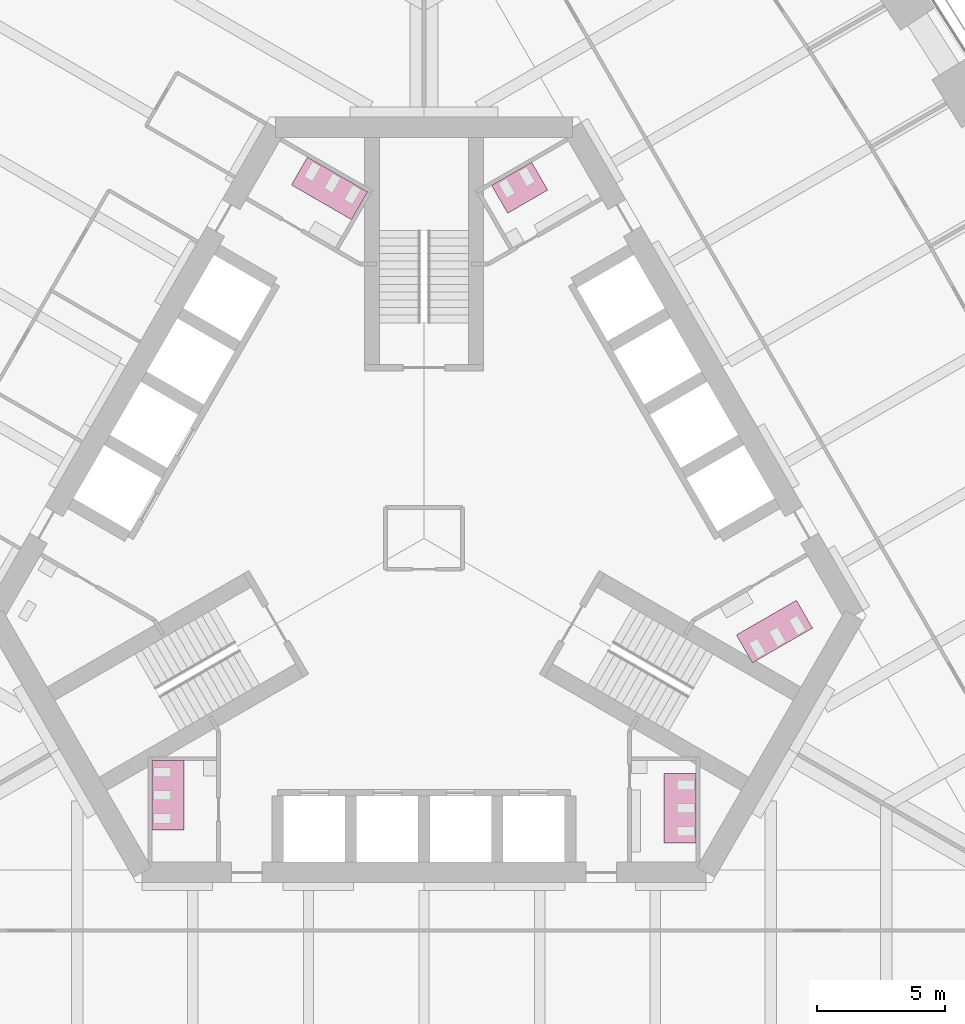
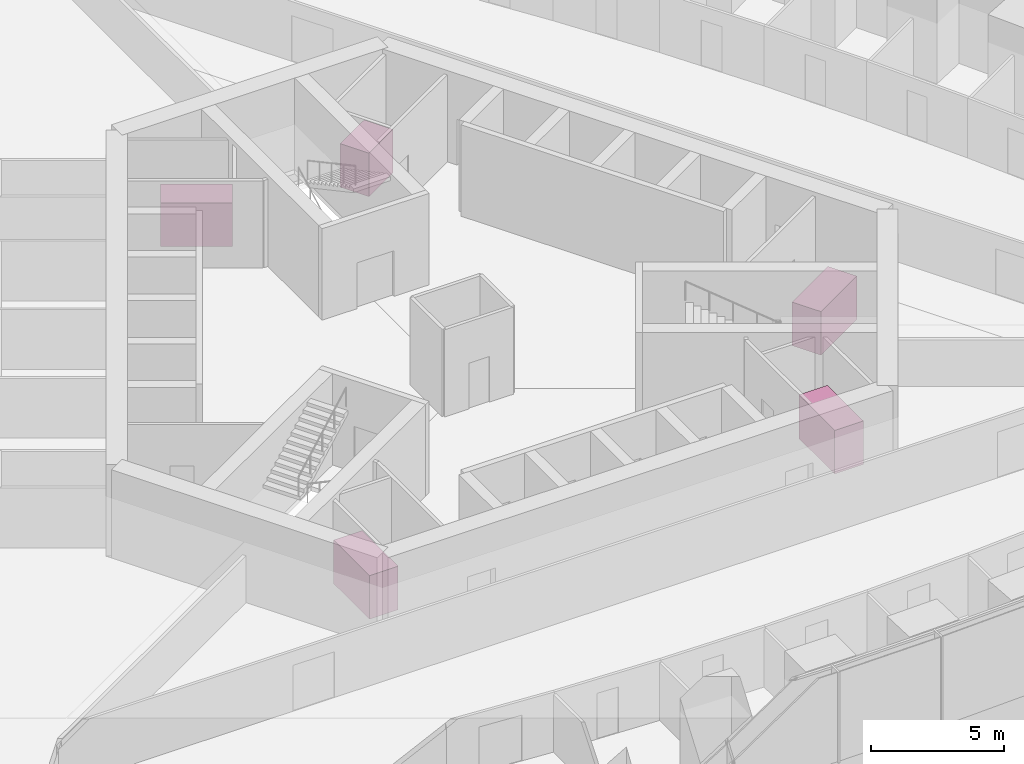
# One storey, part 18 of 18: 5 furniture elements.
"""IFC4 building model written with IfcOpenShell, lengths in metres."""

from ifc_helpers import new_model, si_unit, direction, frame, origin, place, context, subcontext, project, spatial, polyline, outline, extrude, material, type_object, element, save


model = new_model("IFC4")

# Units and contexts
model_context = context("Model", 3, precision=1e-05, world=origin(), true_north=direction((0.0, 1.0)))
body_context = subcontext(model_context, "Body", "Model", "MODEL_VIEW")
ifc_project = project(units=[si_unit("LENGTHUNIT", "METRE"), si_unit("AREAUNIT", "SQUARE_METRE"), si_unit("VOLUMEUNIT", "CUBIC_METRE"), si_unit("PLANEANGLEUNIT", "RADIAN"), si_unit("MASSUNIT", "GRAM", prefix="KILO")], contexts=[model_context])

# Site, building, storey
site_placement = place(None, origin())
site = spatial("IfcSite", under=ifc_project, at=site_placement, CompositionType="ELEMENT")
building_placement = place(site_placement, origin())
building = spatial("IfcBuilding", under=site, at=building_placement, Name="Trefoil Bronze Tower", CompositionType="ELEMENT")
storey_placement = place(building_placement, frame((0.0, 0.0, 62.699951171875)))
storey = spatial("IfcBuildingStorey", under=building, at=storey_placement, Name="L14", CompositionType="ELEMENT", Elevation=62.699951171875)

# Furniture
ifc_material_1 = material(Name="Compact laminate cubicles", Category="plastic")
furniture_type_1 = type_object("IfcFurnitureType", Name="WC cubicle range 2 cubicles", AssemblyPlace="FACTORY", PredefinedType="USERDEFINED", material=ifc_material_1)
furniture_1_placement = place(storey_placement, origin())
element("IfcFurniture", 1, at=furniture_1_placement, inside=storey, type_object=furniture_type_1, Name="WC cubicle range WC (men) L14", ObjectType="WC cubicle range", PredefinedType="USERDEFINED", context=body_context, shape_type="SweptSolid", body=[
    extrude(outline(polyline([(3.256591796875, 12.659423828125), (2.631591796875, 13.741943359375), (4.1904296875, 14.641845703125), (4.8154296875, 13.559326171875), (3.256591796875, 12.659423828125)])), origin(), (0.0, 0.0, 1.0), 2.0),
])
ifc_material_2 = material(Name="Compact laminate cubicles", Category="plastic")
furniture_type_2 = type_object("IfcFurnitureType", Name="WC cubicle range 3 cubicles", AssemblyPlace="FACTORY", PredefinedType="USERDEFINED", material=ifc_material_2)
furniture_2_placement = place(storey_placement, origin())
element("IfcFurniture", 2, at=furniture_2_placement, inside=storey, type_object=furniture_type_2, Name="WC cubicle range WC (men) L14", ObjectType="WC cubicle range", PredefinedType="USERDEFINED", context=body_context, shape_type="SweptSolid", body=[
    extrude(outline(polyline([(9.3349609375, -9.14990234375), (10.5849609375, -9.14990234375), (10.5849609375, -11.85009765625), (9.3349609375, -11.85009765625), (9.3349609375, -9.14990234375)])), origin(), (0.0, 0.0, 1.0), 2.0),
])
furniture_3_placement = place(storey_placement, origin())
element("IfcFurniture", 3, at=furniture_3_placement, inside=storey, type_object=furniture_type_2, Name="WC cubicle range WC (women) L14", ObjectType="WC cubicle range", PredefinedType="USERDEFINED", context=body_context, shape_type="SweptSolid", body=[
    extrude(outline(polyline([(12.15869140625, -3.75927734375), (12.78369140625, -4.841796875), (15.121826171875, -3.491943359375), (14.496826171875, -2.409423828125), (12.15869140625, -3.75927734375)])), origin(), (0.0, 0.0, 1.0), 2.0),
])
furniture_4_placement = place(storey_placement, origin())
element("IfcFurniture", 4, at=furniture_4_placement, inside=storey, type_object=furniture_type_2, Name="WC cubicle range WC (women) L14", ObjectType="WC cubicle range", PredefinedType="USERDEFINED", context=body_context, shape_type="SweptSolid", body=[
    extrude(outline(polyline([(-2.82373046875, 12.409423828125), (-2.19873046875, 13.491943359375), (-4.536865234375, 14.841796875), (-5.161865234375, 13.75927734375), (-2.82373046875, 12.409423828125)])), origin(), (0.0, 0.0, 1.0), 2.0),
])
furniture_5_placement = place(storey_placement, origin())
element("IfcFurniture", 5, at=furniture_5_placement, inside=storey, type_object=furniture_type_2, Name="WC cubicle range WC (women) L14", ObjectType="WC cubicle range", PredefinedType="USERDEFINED", context=body_context, shape_type="SweptSolid", body=[
    extrude(outline(polyline([(-9.3349609375, -8.64990234375), (-10.5849609375, -8.64990234375), (-10.5849609375, -11.35009765625), (-9.3349609375, -11.35009765625), (-9.3349609375, -8.64990234375)])), origin(), (0.0, 0.0, 1.0), 2.0),
])

save(model, "model.ifc")
